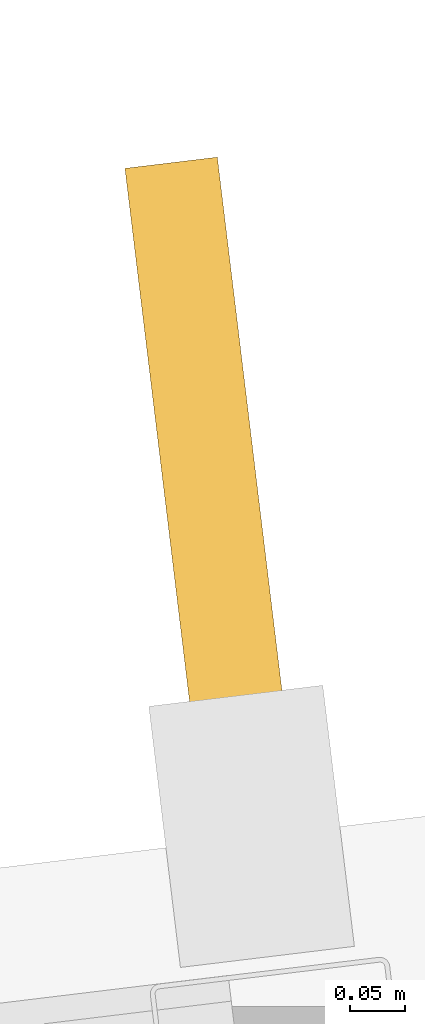
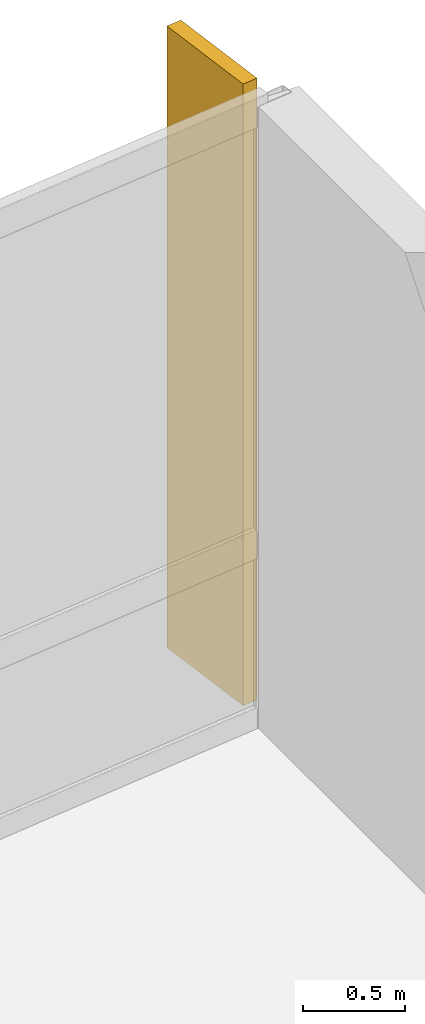
# One storey, part 18 of 18: 1 shading device.
"""IFC4 building model written with IfcOpenShell, lengths in metres."""

from ifc_helpers import new_model, si_unit, direction, frame, origin, origin_2d, place, context, subcontext, project, spatial, rectangle, extrude, material, layer, layer_set, type_object, element, save


model = new_model("IFC4")

# Units and contexts
model_context = context("Model", 3, precision=1e-05, world=origin(), true_north=direction((0.0, 1.0)))
body_context = subcontext(model_context, "Body", "Model", "MODEL_VIEW")
ifc_project = project(units=[si_unit("LENGTHUNIT", "METRE"), si_unit("AREAUNIT", "SQUARE_METRE"), si_unit("VOLUMEUNIT", "CUBIC_METRE"), si_unit("PLANEANGLEUNIT", "RADIAN"), si_unit("MASSUNIT", "GRAM", prefix="KILO")], contexts=[model_context])

# Site, building, storey
site_placement = place(None, origin())
site = spatial("IfcSite", under=ifc_project, at=site_placement, CompositionType="ELEMENT")
building_placement = place(site_placement, origin())
building = spatial("IfcBuilding", under=site, at=building_placement, Name="Varnakote Quay Hospital", CompositionType="ELEMENT")
storey_placement = place(building_placement, frame((0.0, 0.0, 142.85009765625)))
storey = spatial("IfcBuildingStorey", under=building, at=storey_placement, Name="L35", CompositionType="ELEMENT", Elevation=142.85009765625)

# Shading device
ifc_material = material(Name="Anodised aluminium 6063-T6 Bronze", Category="aluminium")
ifc_layer = layer(ifc_material, 0.0849609375)
ifc_layer_set = layer_set([ifc_layer], Name="Anodised aluminium 6063-T6 Bronze")
shading_device_type = type_object("IfcShadingDeviceType", Name="SHD-BRONZE-FIN-620", PredefinedType="USERDEFINED", material=ifc_layer_set)
shading_device_placement = place(storey_placement, frame((53.9462890625, 33.381591796875, 0.0), z_axis=(0.0, 0.0, 1.0), x_axis=(0.120310105847, -0.992736358975, 0.0)))
element("IfcShadingDevice", 1, at=shading_device_placement, inside=storey, type_object=shading_device_type, Name="L35 Anodised Bronze Vertical Shading FIN", ObjectType="FIN", PredefinedType="USERDEFINED", context=body_context, shape_type="SweptSolid", body=[
    extrude(rectangle(XDim=0.6201171875, YDim=0.0849609375, at=origin_2d()), origin(), (0.0, 0.0, 1.0), 3.7099609375),
])

save(model, "model.ifc")
